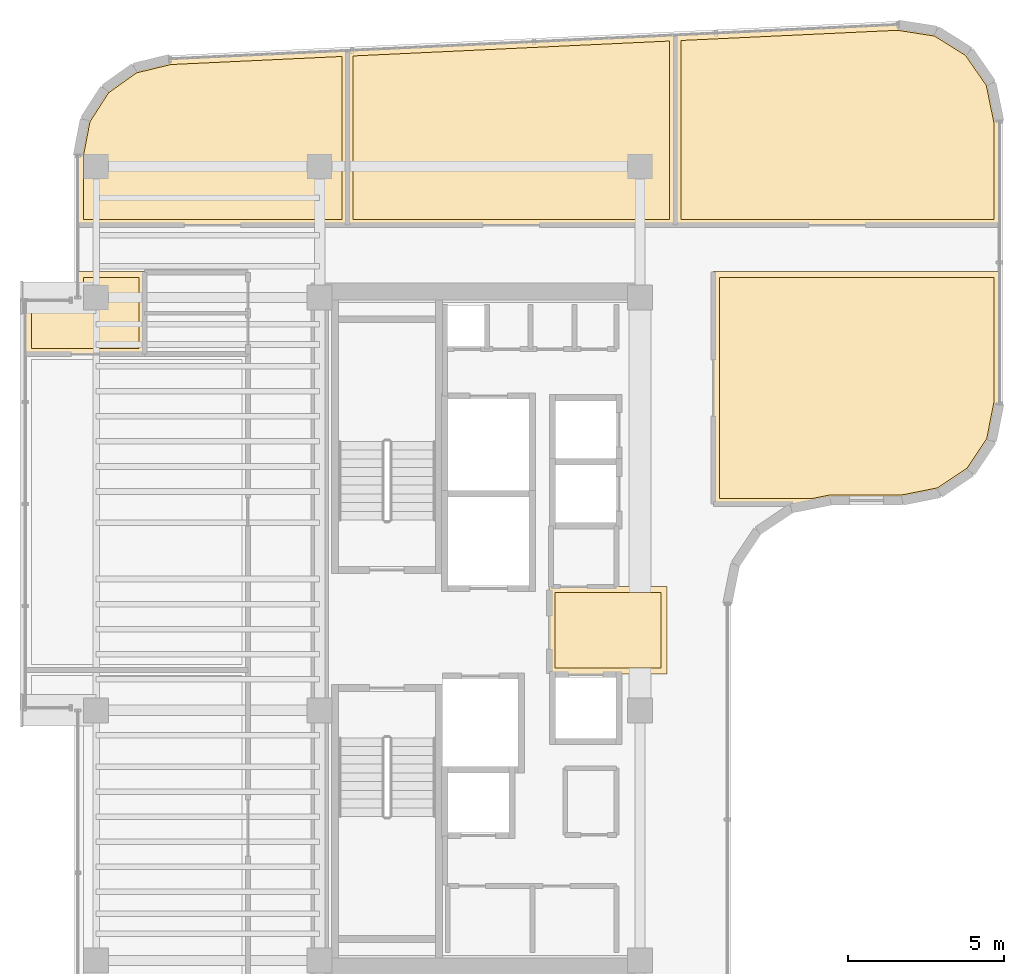
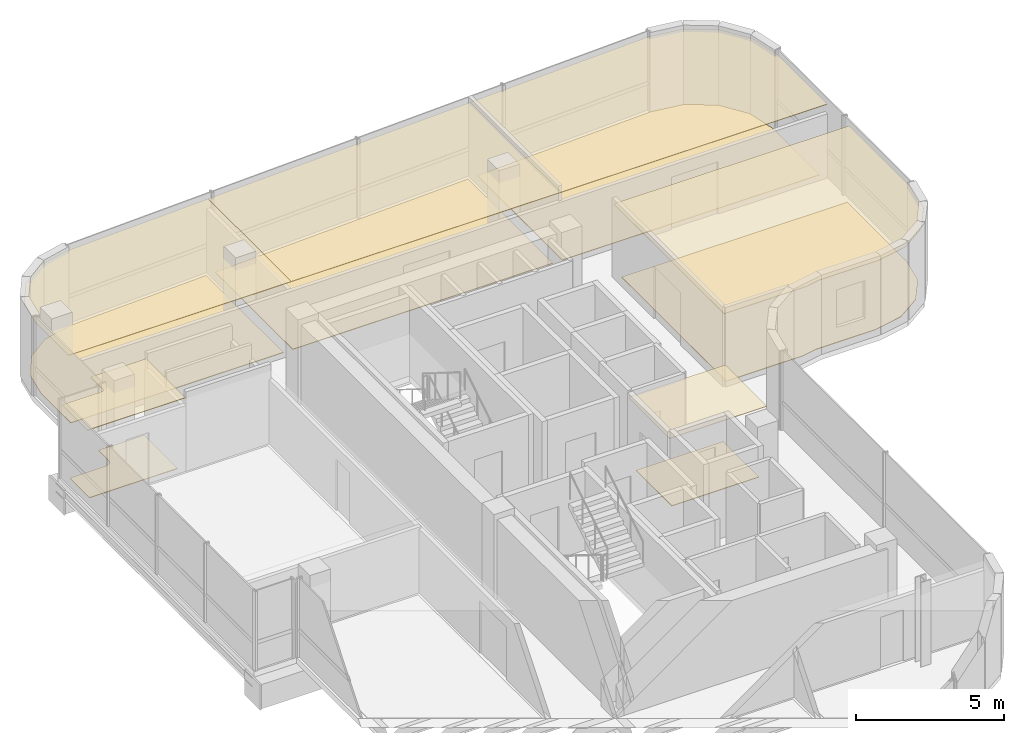
# One storey, part 18 of 18: 12 coverings.
"""IFC4 building model written with IfcOpenShell, lengths in metres."""

from ifc_helpers import new_model, si_unit, direction, frame, origin, place, context, subcontext, project, spatial, polyline, outline, extrude, material, layer, layer_set, type_object, element, save


model = new_model("IFC4")

# Units and contexts
model_context = context("Model", 3, precision=1e-05, world=origin(), true_north=direction((0.0, 1.0)))
body_context = subcontext(model_context, "Body", "Model", "MODEL_VIEW")
ifc_project = project(units=[si_unit("LENGTHUNIT", "METRE"), si_unit("AREAUNIT", "SQUARE_METRE"), si_unit("VOLUMEUNIT", "CUBIC_METRE"), si_unit("PLANEANGLEUNIT", "RADIAN"), si_unit("MASSUNIT", "GRAM", prefix="KILO")], contexts=[model_context])

# Site, building, storey
site_placement = place(None, origin())
site = spatial("IfcSite", under=ifc_project, at=site_placement, CompositionType="ELEMENT")
building_placement = place(site_placement, origin())
building = spatial("IfcBuilding", under=site, at=building_placement, Name="Valdorenza Pilgrim Sanctuary Tower", CompositionType="ELEMENT")
storey_placement = place(building_placement, frame((0.0, 0.0, 273.0)))
storey = spatial("IfcBuildingStorey", under=building, at=storey_placement, Name="L71", CompositionType="ELEMENT", Elevation=273.0)

# Coverings
ifc_material_1 = material(Name="Micro-perforated acoustic mineral ceiling tile", Category="gypsum")
ifc_layer_1 = layer(ifc_material_1, 0.02490234375, Name="Micro-perforated acoustic mineral ceiling tile")
ifc_layer_set_1 = layer_set([ifc_layer_1], Name="Micro-perforated acoustic mineral ceiling tile")
covering_type_1 = type_object("IfcCoveringType", Name="COV-CLG-ACU", PredefinedType="CEILING", material=ifc_layer_set_1)
covering_1_placement = place(storey_placement, frame((0.0, 0.0, 2.9599609375)))
element("IfcCovering", 1, at=covering_1_placement, inside=storey, type_object=covering_type_1, Name="L71 Core A Passenger Lift Lobby Acoustic Ceiling", PredefinedType="CEILING", context=body_context, shape_type="SweptSolid", body=[
    extrude(outline(polyline([(-15.31494140625, 1.35009765625), (-15.31494140625, 1.3515625), (-15.314697265625, 1.352783203125), (-15.314453125, 1.3544921875), (-15.31396484375, 1.355712890625), (-15.313232421875, 1.357177734375), (-15.3125, 1.3583984375), (-15.3115234375, 1.359619140625), (-15.310546875, 1.360595703125), (-15.3095703125, 1.361572265625), (-15.308349609375, 1.362548828125), (-15.30712890625, 1.36328125), (-15.3056640625, 1.364013671875), (-15.304443359375, 1.364501953125), (-15.302978515625, 1.36474609375), (-15.301513671875, 1.364990234375), (-15.300048828125, 1.364990234375), (-11.550048828125, 1.364990234375), (-11.548583984375, 1.364990234375), (-11.547119140625, 1.36474609375), (-11.545654296875, 1.364501953125), (-11.544189453125, 1.364013671875), (-11.54296875, 1.36328125), (-11.541748046875, 1.362548828125), (-11.54052734375, 1.361572265625), (-11.539306640625, 1.360595703125), (-11.538330078125, 1.359619140625), (-11.53759765625, 1.3583984375), (-11.536865234375, 1.357177734375), (-11.5361328125, 1.355712890625), (-11.53564453125, 1.3544921875), (-11.535400390625, 1.352783203125), (-11.53515625, 1.3515625), (-11.534912109375, 1.35009765625), (-11.534912109375, -1.419921875), (-11.53515625, -1.42138671875), (-11.535400390625, -1.4228515625), (-11.53564453125, -1.42431640625), (-11.5361328125, -1.42578125), (-11.536865234375, -1.427001953125), (-11.53759765625, -1.42822265625), (-11.538330078125, -1.429443359375), (-11.539306640625, -1.4306640625), (-11.54052734375, -1.431640625), (-11.541748046875, -1.4326171875), (-11.54296875, -1.43310546875), (-11.544189453125, -1.433837890625), (-11.545654296875, -1.434326171875), (-11.547119140625, -1.434814453125), (-11.548583984375, -1.434814453125), (-11.550048828125, -1.43505859375), (-15.298095703125, -1.43505859375), (-15.299560546875, -1.434814453125), (-15.30078125, -1.434814453125), (-15.302490234375, -1.434326171875), (-15.3037109375, -1.433837890625), (-15.30517578125, -1.43310546875), (-15.306396484375, -1.4326171875), (-15.3076171875, -1.431640625), (-15.30859375, -1.4306640625), (-15.3095703125, -1.429443359375), (-15.310546875, -1.42822265625), (-15.311279296875, -1.427001953125), (-15.31201171875, -1.42578125), (-15.3125, -1.42431640625), (-15.312744140625, -1.4228515625), (-15.31298828125, -1.42138671875), (-15.31298828125, -1.419921875), (-15.31298828125, 1.244384765625), (-15.31298828125, 1.24462890625), (-15.313720703125, 1.24609375), (-15.314208984375, 1.24755859375), (-15.314697265625, 1.2490234375), (-15.31494140625, 1.25048828125), (-15.31494140625, 1.251953125), (-15.31494140625, 1.35009765625)])), origin(), (0.0, 0.0, 1.0), 0.025146484375),
])
covering_2_placement = place(storey_placement, frame((0.0, 0.0, 2.9599609375)))
element("IfcCovering", 2, at=covering_2_placement, inside=storey, type_object=covering_type_1, Name="L71 Pilgrim Scholar Office L71-WN Acoustic Ceiling", PredefinedType="CEILING", context=body_context, shape_type="SweptSolid", body=[
    extrude(outline(polyline([(-28.237060546875, 11.39453125), (-28.237060546875, 10.103759765625), (-28.23681640625, 10.10302734375), (-28.23681640625, 10.1015625), (-28.23681640625, 10.10009765625), (-28.23681640625, 10.098388671875), (-28.237060546875, 10.09814453125), (-28.237060546875, 8.800048828125), (-28.237060546875, 8.798583984375), (-28.2373046875, 8.797119140625), (-28.237548828125, 8.795654296875), (-28.238037109375, 8.794189453125), (-28.23876953125, 8.79296875), (-28.239501953125, 8.791748046875), (-28.240478515625, 8.79052734375), (-28.241455078125, 8.789306640625), (-28.242431640625, 8.788330078125), (-28.24365234375, 8.78759765625), (-28.244873046875, 8.786865234375), (-28.246337890625, 8.7861328125), (-28.24755859375, 8.78564453125), (-28.2490234375, 8.785400390625), (-28.25048828125, 8.78515625), (-28.251953125, 8.784912109375), (-32.0400390625, 8.784912109375), (-32.04150390625, 8.78515625), (-32.04296875, 8.785400390625), (-32.04443359375, 8.78564453125), (-32.045654296875, 8.7861328125), (-32.047119140625, 8.786865234375), (-32.04833984375, 8.78759765625), (-32.049560546875, 8.788330078125), (-32.050537109375, 8.789306640625), (-32.051513671875, 8.79052734375), (-32.052490234375, 8.791748046875), (-32.05322265625, 8.79296875), (-32.053955078125, 8.794189453125), (-32.054443359375, 8.795654296875), (-32.0546875, 8.797119140625), (-32.054931640625, 8.798583984375), (-32.054931640625, 8.800048828125), (-32.054931640625, 10.489990234375), (-32.054931640625, 10.491455078125), (-32.0546875, 10.492919921875), (-32.054443359375, 10.494384765625), (-32.053955078125, 10.49560546875), (-32.05322265625, 10.4970703125), (-32.052490234375, 10.498291015625), (-32.051513671875, 10.49951171875), (-32.050537109375, 10.50048828125), (-32.049560546875, 10.501708984375), (-32.04833984375, 10.50244140625), (-32.047119140625, 10.503173828125), (-32.045654296875, 10.50390625), (-32.04443359375, 10.50439453125), (-32.04296875, 10.504638671875), (-32.04150390625, 10.5048828125), (-32.0400390625, 10.5048828125), (-30.50048828125, 10.5048828125), (-30.49072265625, 10.505615234375), (-30.4814453125, 10.5068359375), (-30.472412109375, 10.509033203125), (-30.463623046875, 10.51220703125), (-30.455078125, 10.51611328125), (-30.447265625, 10.52099609375), (-30.439697265625, 10.526611328125), (-30.432861328125, 10.53271484375), (-30.426513671875, 10.539794921875), (-30.4208984375, 10.547119140625), (-30.416259765625, 10.55517578125), (-30.412109375, 10.563720703125), (-30.4091796875, 10.572509765625), (-30.40673828125, 10.58154296875), (-30.405517578125, 10.5908203125), (-30.405029296875, 10.600341796875), (-30.405029296875, 11.419921875), (-30.40478515625, 11.42138671875), (-30.40478515625, 11.4228515625), (-30.404296875, 11.42431640625), (-30.40380859375, 11.42578125), (-30.4033203125, 11.427001953125), (-30.402587890625, 11.42822265625), (-30.401611328125, 11.429443359375), (-30.400634765625, 11.4306640625), (-30.3994140625, 11.431640625), (-30.398193359375, 11.4326171875), (-30.397216796875, 11.43310546875), (-30.395751953125, 11.433837890625), (-30.394287109375, 11.434326171875), (-30.392822265625, 11.434814453125), (-30.3916015625, 11.434814453125), (-30.389892578125, 11.43505859375), (-28.25, 11.43505859375), (-28.24853515625, 11.434814453125), (-28.2470703125, 11.434814453125), (-28.24560546875, 11.434326171875), (-28.244384765625, 11.433837890625), (-28.242919921875, 11.43310546875), (-28.24169921875, 11.4326171875), (-28.240478515625, 11.431640625), (-28.239501953125, 11.4306640625), (-28.23828125, 11.429443359375), (-28.237548828125, 11.42822265625), (-28.23681640625, 11.427001953125), (-28.236083984375, 11.42578125), (-28.235595703125, 11.42431640625), (-28.2353515625, 11.4228515625), (-28.235107421875, 11.42138671875), (-28.235107421875, 11.419921875), (-28.235107421875, 11.402099609375), (-28.235107421875, 11.400390625), (-28.2353515625, 11.39892578125), (-28.235595703125, 11.3974609375), (-28.236083984375, 11.39599609375), (-28.23681640625, 11.394775390625), (-28.237060546875, 11.39453125)])), origin(), (0.0, 0.0, 1.0), 0.025146484375),
])
covering_3_placement = place(storey_placement, frame((0.0, 0.0, 2.9599609375)))
element("IfcCovering", 3, at=covering_3_placement, inside=storey, type_object=covering_type_1, Name="L71 Sacred Art Exhibition Gallery L71-N1 Acoustic Ceiling", PredefinedType="CEILING", context=body_context, shape_type="SweptSolid", body=[
    extrude(outline(polyline([(-30.389892578125, 12.905029296875), (-30.3916015625, 12.905029296875), (-30.392822265625, 12.9052734375), (-30.394287109375, 12.905517578125), (-30.395751953125, 12.906005859375), (-30.397216796875, 12.90673828125), (-30.398193359375, 12.907470703125), (-30.3994140625, 12.908447265625), (-30.400634765625, 12.909423828125), (-30.401611328125, 12.910400390625), (-30.402587890625, 12.91162109375), (-30.4033203125, 12.912841796875), (-30.40380859375, 12.914306640625), (-30.404296875, 12.91552734375), (-30.40478515625, 12.9169921875), (-30.40478515625, 12.91845703125), (-30.405029296875, 12.919921875), (-30.405029296875, 15.13671875), (-30.40478515625, 15.13818359375), (-30.40478515625, 15.1396484375), (-30.181396484375, 16.298095703125), (-30.180908203125, 16.299560546875), (-30.180419921875, 16.30078125), (-30.179931640625, 16.30224609375), (-30.17919921875, 16.303466796875), (-29.547119140625, 17.286865234375), (-29.546142578125, 17.2880859375), (-29.545166015625, 17.2890625), (-29.544189453125, 17.2900390625), (-29.54296875, 17.291015625), (-28.59033203125, 17.968994140625), (-28.589111328125, 17.9697265625), (-28.587890625, 17.97021484375), (-28.586669921875, 17.970947265625), (-28.585205078125, 17.97119140625), (-27.438720703125, 18.248779296875), (-27.437255859375, 18.249267578125), (-27.435791015625, 18.249267578125), (-21.7607421875, 18.516845703125), (-21.75927734375, 18.516845703125), (-21.7578125, 18.5166015625), (-21.756103515625, 18.516357421875), (-21.7548828125, 18.515869140625), (-21.75341796875, 18.515380859375), (-21.751953125, 18.5146484375), (-21.750732421875, 18.513671875), (-21.74951171875, 18.5126953125), (-21.74853515625, 18.51171875), (-21.747802734375, 18.510498046875), (-21.746826171875, 18.509033203125), (-21.74609375, 18.5078125), (-21.74560546875, 18.50634765625), (-21.745361328125, 18.5048828125), (-21.7451171875, 18.50341796875), (-21.7451171875, 18.501708984375), (-21.7451171875, 12.919921875), (-21.7451171875, 12.91845703125), (-21.745361328125, 12.9169921875), (-21.74560546875, 12.91552734375), (-21.74609375, 12.914306640625), (-21.746826171875, 12.912841796875), (-21.74755859375, 12.91162109375), (-21.748291015625, 12.910400390625), (-21.74951171875, 12.909423828125), (-21.75048828125, 12.908447265625), (-21.751708984375, 12.907470703125), (-21.7529296875, 12.90673828125), (-21.75439453125, 12.906005859375), (-21.755615234375, 12.905517578125), (-21.757080078125, 12.9052734375), (-21.758544921875, 12.905029296875), (-21.760009765625, 12.905029296875), (-30.389892578125, 12.905029296875)])), origin(), (0.0, 0.0, 1.0), 0.025146484375),
])
covering_4_placement = place(storey_placement, frame((0.0, 0.0, 2.9599609375)))
element("IfcCovering", 4, at=covering_4_placement, inside=storey, type_object=covering_type_1, Name="L71 Sacred Art Exhibition Gallery L71-N2 Acoustic Ceiling", PredefinedType="CEILING", context=body_context, shape_type="SweptSolid", body=[
    extrude(outline(polyline([(-21.77294921875, 18.501708984375), (-21.77294921875, 18.502685546875), (-21.772705078125, 18.504150390625), (-21.772705078125, 18.505615234375), (-21.772216796875, 18.507080078125), (-21.771484375, 18.50830078125), (-21.77099609375, 18.509765625), (-21.77001953125, 18.510986328125), (-21.76904296875, 18.511962890625), (-21.76806640625, 18.51318359375), (-21.766845703125, 18.513916015625), (-21.765625, 18.514892578125), (-21.764404296875, 18.515380859375), (-21.762939453125, 18.51611328125), (-21.76171875, 18.5166015625), (-21.76025390625, 18.516845703125), (-21.7587890625, 18.516845703125), (-11.28076171875, 19.010986328125), (-11.279296875, 19.010986328125), (-11.277587890625, 19.0107421875), (-11.276123046875, 19.010498046875), (-11.27490234375, 19.010009765625), (-11.2734375, 19.00927734375), (-11.27197265625, 19.008544921875), (-11.270751953125, 19.0078125), (-11.26953125, 19.006591796875), (-11.2685546875, 19.005615234375), (-11.267578125, 19.00439453125), (-11.266845703125, 19.003173828125), (-11.26611328125, 19.001708984375), (-11.265625, 19.00048828125), (-11.265380859375, 18.998779296875), (-11.26513671875, 18.997314453125), (-11.264892578125, 18.995849609375), (-11.264892578125, 12.919921875), (-11.26513671875, 12.91845703125), (-11.265380859375, 12.9169921875), (-11.265625, 12.91552734375), (-11.26611328125, 12.914306640625), (-11.266845703125, 12.912841796875), (-11.267578125, 12.91162109375), (-11.268310546875, 12.910400390625), (-11.269287109375, 12.909423828125), (-11.2705078125, 12.908447265625), (-11.271728515625, 12.907470703125), (-11.27294921875, 12.90673828125), (-11.2744140625, 12.906005859375), (-11.275634765625, 12.905517578125), (-11.277099609375, 12.9052734375), (-11.278564453125, 12.905029296875), (-11.280029296875, 12.905029296875), (-21.758056640625, 12.905029296875), (-21.759521484375, 12.905029296875), (-21.760986328125, 12.9052734375), (-21.762451171875, 12.905517578125), (-21.763671875, 12.906005859375), (-21.76513671875, 12.90673828125), (-21.766357421875, 12.907470703125), (-21.767578125, 12.908447265625), (-21.7685546875, 12.909423828125), (-21.76953125, 12.910400390625), (-21.7705078125, 12.91162109375), (-21.771240234375, 12.912841796875), (-21.77197265625, 12.914306640625), (-21.7724609375, 12.91552734375), (-21.772705078125, 12.9169921875), (-21.77294921875, 12.91845703125), (-21.77294921875, 12.919921875), (-21.77294921875, 18.501708984375), (-21.77294921875, 18.501708984375)])), origin(), (0.0, 0.0, 1.0), 0.025146484375),
])
covering_5_placement = place(storey_placement, frame((0.0, 0.0, 2.9599609375)))
element("IfcCovering", 5, at=covering_5_placement, inside=storey, type_object=covering_type_1, Name="L71 Sacred Art Exhibition Gallery L71-N3 Acoustic Ceiling", PredefinedType="CEILING", context=body_context, shape_type="SweptSolid", body=[
    extrude(outline(polyline([(-11.29296875, 18.995849609375), (-11.29296875, 18.99658203125), (-11.292724609375, 18.998291015625), (-11.29248046875, 18.99951171875), (-11.2919921875, 19.0009765625), (-11.29150390625, 19.00244140625), (-11.291015625, 19.003662109375), (-11.2900390625, 19.0048828125), (-11.2890625, 19.006103515625), (-11.2880859375, 19.007080078125), (-11.286865234375, 19.008056640625), (-11.28564453125, 19.0087890625), (-11.284423828125, 19.009521484375), (-11.282958984375, 19.010009765625), (-11.281494140625, 19.010498046875), (-11.2802734375, 19.0107421875), (-11.27880859375, 19.010986328125), (-4.157470703125, 19.3466796875), (-4.156005859375, 19.3466796875), (-4.154296875, 19.346435546875), (-2.91748046875, 19.153076171875), (-2.916015625, 19.152587890625), (-2.91455078125, 19.15234375), (-2.9130859375, 19.151611328125), (-2.911865234375, 19.15087890625), (-1.860595703125, 18.492431640625), (-1.859619140625, 18.49169921875), (-1.8583984375, 18.490478515625), (-1.857421875, 18.489501953125), (-1.8564453125, 18.48828125), (-1.149169921875, 17.46923828125), (-1.148193359375, 17.468017578125), (-1.147705078125, 17.466552734375), (-1.147216796875, 17.465087890625), (-1.146728515625, 17.463623046875), (-0.895263671875, 16.237548828125), (-0.89501953125, 16.236083984375), (-0.89501953125, 16.234375), (-0.89501953125, 12.919921875), (-0.89501953125, 12.91845703125), (-0.895263671875, 12.9169921875), (-0.8955078125, 12.91552734375), (-0.89599609375, 12.914306640625), (-0.896728515625, 12.912841796875), (-0.8974609375, 12.91162109375), (-0.8984375, 12.910400390625), (-0.8994140625, 12.909423828125), (-0.900390625, 12.908447265625), (-0.901611328125, 12.907470703125), (-0.90283203125, 12.90673828125), (-0.904296875, 12.906005859375), (-0.905517578125, 12.905517578125), (-0.906982421875, 12.9052734375), (-0.908447265625, 12.905029296875), (-0.909912109375, 12.905029296875), (-11.278076171875, 12.905029296875), (-11.279541015625, 12.905029296875), (-11.281005859375, 12.9052734375), (-11.282470703125, 12.905517578125), (-11.28369140625, 12.906005859375), (-11.28515625, 12.90673828125), (-11.286376953125, 12.907470703125), (-11.28759765625, 12.908447265625), (-11.28857421875, 12.909423828125), (-11.28955078125, 12.910400390625), (-11.29052734375, 12.91162109375), (-11.291259765625, 12.912841796875), (-11.2919921875, 12.914306640625), (-11.29248046875, 12.91552734375), (-11.292724609375, 12.9169921875), (-11.29296875, 12.91845703125), (-11.29296875, 12.919921875), (-11.29296875, 18.995849609375), (-11.29296875, 18.995849609375)])), origin(), (0.0, 0.0, 1.0), 0.025146484375),
])
covering_6_placement = place(storey_placement, frame((0.0, 0.0, 2.9599609375)))
element("IfcCovering", 6, at=covering_6_placement, inside=storey, type_object=covering_type_1, Name="L71 Sacred Art Exhibition Gallery L71-E1 Acoustic Ceiling", PredefinedType="CEILING", context=body_context, shape_type="SweptSolid", body=[
    extrude(outline(polyline([(-10.06494140625, 11.419921875), (-10.06494140625, 11.42138671875), (-10.064697265625, 11.4228515625), (-10.064453125, 11.42431640625), (-10.06396484375, 11.42578125), (-10.063232421875, 11.427001953125), (-10.0625, 11.42822265625), (-10.0615234375, 11.429443359375), (-10.060546875, 11.4306640625), (-10.0595703125, 11.431640625), (-10.058349609375, 11.4326171875), (-10.05712890625, 11.43310546875), (-10.0556640625, 11.433837890625), (-10.054443359375, 11.434326171875), (-10.052978515625, 11.434814453125), (-10.051513671875, 11.434814453125), (-10.050048828125, 11.43505859375), (-0.909912109375, 11.43505859375), (-0.908447265625, 11.434814453125), (-0.906982421875, 11.434814453125), (-0.905517578125, 11.434326171875), (-0.904296875, 11.433837890625), (-0.90283203125, 11.43310546875), (-0.901611328125, 11.4326171875), (-0.900390625, 11.431640625), (-0.8994140625, 11.4306640625), (-0.8984375, 11.429443359375), (-0.8974609375, 11.42822265625), (-0.896728515625, 11.427001953125), (-0.89599609375, 11.42578125), (-0.8955078125, 11.42431640625), (-0.895263671875, 11.4228515625), (-0.89501953125, 11.42138671875), (-0.89501953125, 11.419921875), (-0.89501953125, 7.210693359375), (-0.89501953125, 7.20947265625), (-0.895263671875, 7.2080078125), (-1.132568359375, 6.015380859375), (-1.1328125, 6.013916015625), (-1.13330078125, 6.0126953125), (-1.134033203125, 6.01123046875), (-1.134765625, 6.010009765625), (-1.80419921875, 5.00830078125), (-1.804931640625, 5.007080078125), (-1.805908203125, 5.006103515625), (-1.80712890625, 5.0048828125), (-1.808349609375, 5.004150390625), (-2.81005859375, 4.334716796875), (-2.811279296875, 4.333984375), (-2.8125, 4.33349609375), (-2.81396484375, 4.3330078125), (-2.8154296875, 4.33251953125), (-4.0078125, 4.09521484375), (-4.009521484375, 4.09521484375), (-4.0107421875, 4.094970703125), (-6.299560546875, 4.094970703125), (-6.309326171875, 4.094482421875), (-6.31884765625, 4.093017578125), (-6.86083984375, 3.9853515625), (-6.8623046875, 3.985107421875), (-6.86376953125, 3.985107421875), (-10.050048828125, 3.985107421875), (-10.051513671875, 3.985107421875), (-10.052978515625, 3.9853515625), (-10.054443359375, 3.985595703125), (-10.0556640625, 3.986083984375), (-10.05712890625, 3.98681640625), (-10.058349609375, 3.987548828125), (-10.0595703125, 3.98828125), (-10.060546875, 3.989501953125), (-10.0615234375, 3.990478515625), (-10.0625, 3.99169921875), (-10.063232421875, 3.992919921875), (-10.06396484375, 3.994384765625), (-10.064453125, 3.99560546875), (-10.064697265625, 3.9970703125), (-10.06494140625, 3.99853515625), (-10.06494140625, 4.0), (-10.06494140625, 11.419921875)])), origin(), (0.0, 0.0, 1.0), 0.025146484375),
])
ifc_material_2 = material(Name="Honed travertine stone flooring", Category="masonry")
ifc_layer_2 = layer(ifc_material_2, 0.030029296875, Name="Honed travertine stone flooring")
ifc_layer_set_2 = layer_set([ifc_layer_2], Name="Honed travertine stone flooring")
covering_type_2 = type_object("IfcCoveringType", Name="COV-FLR-TRV", PredefinedType="FLOORING", material=ifc_layer_set_2)
covering_7_placement = place(storey_placement, origin())
element("IfcCovering", 7, at=covering_7_placement, inside=storey, type_object=covering_type_2, Name="L71 Core A Passenger Lift Lobby Flooring", PredefinedType="FLOORING", context=body_context, shape_type="SweptSolid", body=[
    extrude(outline(polyline([(-15.117919921875, 1.169921875), (-11.72998046875, 1.169921875), (-11.72998046875, -1.239990234375), (-15.117919921875, -1.239990234375), (-15.117919921875, 1.169921875)])), origin(), (0.0, 0.0, 1.0), 0.02490234375),
])
covering_8_placement = place(storey_placement, origin())
element("IfcCovering", 8, at=covering_8_placement, inside=storey, type_object=covering_type_2, Name="L71 Pilgrim Scholar Office L71-WN Flooring", PredefinedType="FLOORING", context=body_context, shape_type="SweptSolid", body=[
    extrude(outline(polyline([(-28.431884765625, 11.239990234375), (-28.431884765625, 10.10205078125), (-28.431884765625, 10.10107421875), (-28.431884765625, 10.100341796875), (-28.431884765625, 10.10009765625), (-28.431884765625, 8.97998046875), (-31.860107421875, 8.97998046875), (-31.860107421875, 10.31005859375), (-30.5, 10.31005859375), (-30.4912109375, 10.310302734375), (-30.48046875, 10.310791015625), (-30.462890625, 10.3125), (-30.4521484375, 10.314208984375), (-30.434814453125, 10.3173828125), (-30.42431640625, 10.320068359375), (-30.407470703125, 10.3251953125), (-30.397216796875, 10.328857421875), (-30.380859375, 10.335693359375), (-30.37109375, 10.34033203125), (-30.355712890625, 10.3486328125), (-30.34619140625, 10.35400390625), (-30.331787109375, 10.364013671875), (-30.322998046875, 10.370361328125), (-30.309326171875, 10.381591796875), (-30.30126953125, 10.388916015625), (-30.288818359375, 10.4013671875), (-30.281494140625, 10.4091796875), (-30.2705078125, 10.423095703125), (-30.263916015625, 10.431640625), (-30.254150390625, 10.4462890625), (-30.24853515625, 10.45556640625), (-30.240234375, 10.47119140625), (-30.235595703125, 10.48095703125), (-30.22900390625, 10.497314453125), (-30.225341796875, 10.50732421875), (-30.22021484375, 10.5244140625), (-30.217529296875, 10.534912109375), (-30.214111328125, 10.552001953125), (-30.21240234375, 10.562744140625), (-30.210693359375, 10.580322265625), (-30.210205078125, 10.59130859375), (-30.2099609375, 10.60009765625), (-30.2099609375, 11.239990234375), (-28.431884765625, 11.239990234375)])), origin(), (0.0, 0.0, 1.0), 0.02490234375),
])
covering_9_placement = place(storey_placement, origin())
element("IfcCovering", 9, at=covering_9_placement, inside=storey, type_object=covering_type_2, Name="L71 Sacred Art Exhibition Gallery L71-N1 Flooring", PredefinedType="FLOORING", context=body_context, shape_type="SweptSolid", body=[
    extrude(outline(polyline([(-30.2099609375, 13.10009765625), (-30.2099609375, 15.11962890625), (-29.996337890625, 16.227294921875), (-29.401611328125, 17.152099609375), (-28.505615234375, 17.789794921875), (-27.409423828125, 18.055419921875), (-21.93994140625, 18.313232421875), (-21.93994140625, 13.10009765625), (-30.2099609375, 13.10009765625)])), origin(), (0.0, 0.0, 1.0), 0.02490234375),
])
covering_10_placement = place(storey_placement, origin())
element("IfcCovering", 10, at=covering_10_placement, inside=storey, type_object=covering_type_2, Name="L71 Sacred Art Exhibition Gallery L71-N2 Flooring", PredefinedType="FLOORING", context=body_context, shape_type="SweptSolid", body=[
    extrude(outline(polyline([(-21.577880859375, 13.10009765625), (-21.577880859375, 18.330078125), (-11.4599609375, 18.80712890625), (-11.4599609375, 13.10009765625), (-21.577880859375, 13.10009765625)])), origin(), (0.0, 0.0, 1.0), 0.02490234375),
])
covering_11_placement = place(storey_placement, origin())
element("IfcCovering", 11, at=covering_11_placement, inside=storey, type_object=covering_type_2, Name="L71 Sacred Art Exhibition Gallery L71-N3 Flooring", PredefinedType="FLOORING", context=body_context, shape_type="SweptSolid", body=[
    extrude(outline(polyline([(-4.16650390625, 19.15087890625), (-2.984130859375, 18.966064453125), (-1.99560546875, 18.3466796875), (-1.330322265625, 17.388427734375), (-1.090087890625, 16.21630859375), (-1.090087890625, 13.10009765625), (-11.097900390625, 13.10009765625), (-11.097900390625, 18.82421875), (-4.16650390625, 19.15087890625)])), origin(), (0.0, 0.0, 1.0), 0.02490234375),
])
covering_12_placement = place(storey_placement, origin())
element("IfcCovering", 12, at=covering_12_placement, inside=storey, type_object=covering_type_2, Name="L71 Sacred Art Exhibition Gallery L71-E1 Flooring", PredefinedType="FLOORING", context=body_context, shape_type="SweptSolid", body=[
    extrude(outline(polyline([(-9.8701171875, 11.239990234375), (-1.090087890625, 11.239990234375), (-1.090087890625, 7.228515625), (-1.31689453125, 6.088623046875), (-1.9462890625, 5.146484375), (-2.888671875, 4.516845703125), (-4.028564453125, 4.2900390625), (-6.300048828125, 4.2900390625), (-6.308837890625, 4.289794921875), (-6.319580078125, 4.289306640625), (-6.337158203125, 4.28759765625), (-6.347900390625, 4.285888671875), (-6.356689453125, 4.284423828125), (-6.881591796875, 4.179931640625), (-9.8701171875, 4.179931640625), (-9.8701171875, 11.239990234375)])), origin(), (0.0, 0.0, 1.0), 0.02490234375),
])

save(model, "model.ifc")
